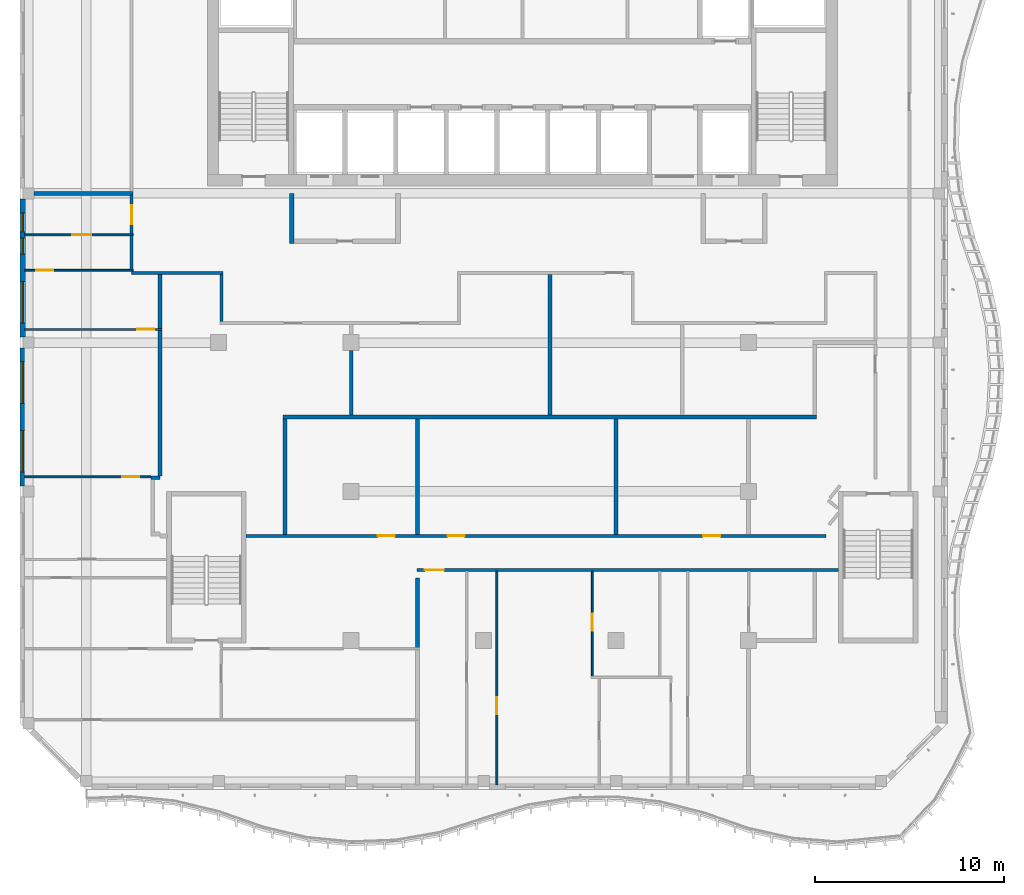
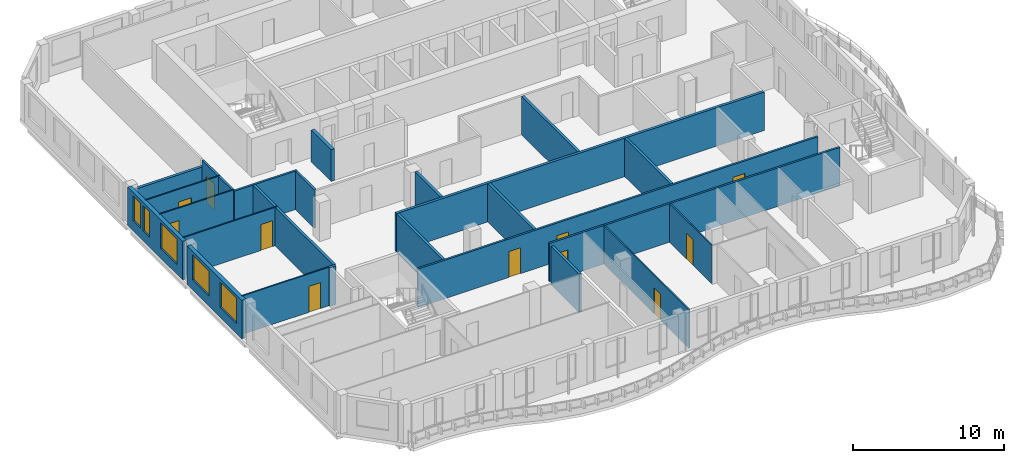
# One storey, part 3 of 18: 26 walls, 11 doors, 5 windows, 16 openings.
"""IFC4 building model written with IfcOpenShell, lengths in metres."""

from ifc_helpers import new_model, si_unit, direction, frame, frame_2d, origin, place, context, subcontext, project, spatial, rectangle, extrude, source, transform, mapped, material, layer, layer_set, type_object, element, fill, save


model = new_model("IFC4")

# Units and contexts
model_context = context("Model", 3, precision=1e-05, world=origin(), true_north=direction((0.0, 1.0)))
body_context = subcontext(model_context, "Body", "Model", "MODEL_VIEW")
ifc_project = project(units=[si_unit("LENGTHUNIT", "METRE"), si_unit("AREAUNIT", "SQUARE_METRE"), si_unit("VOLUMEUNIT", "CUBIC_METRE"), si_unit("PLANEANGLEUNIT", "RADIAN"), si_unit("MASSUNIT", "GRAM", prefix="KILO")], contexts=[model_context])

# Site, building, storey
site_placement = place(None, origin())
site = spatial("IfcSite", under=ifc_project, at=site_placement, CompositionType="ELEMENT")
building_placement = place(site_placement, origin())
building = spatial("IfcBuilding", under=site, at=building_placement, Name="Kilnfold Tower and Market Hall", CompositionType="ELEMENT")
storey_placement = place(building_placement, frame((0.0, 0.0, 312.0)))
storey = spatial("IfcBuildingStorey", under=building, at=storey_placement, Name="L78", CompositionType="ELEMENT", Elevation=312.0)

# Walls
ifc_material_1 = material(Name="Gypsum board on steel studs", Category="steel")
ifc_layer_1 = layer(ifc_material_1, 0.14990234375)
ifc_layer_set_1 = layer_set([ifc_layer_1], Name="Gypsum board on steel studs")
wall_type_1 = type_object("IfcWallType", Name="WALL CORRIDOR 150", PredefinedType="PARTITIONING", material=ifc_layer_set_1)
wall_1_placement = place(storey_placement, frame((-19.60009765625, 3.800048828125, 0.0), z_axis=(0.0, 0.0, 1.0), x_axis=(1.0, 0.0, 0.0)))
element("IfcWall", 1, at=wall_1_placement, inside=storey, type_object=wall_type_1, Name="Partition LY46.1", PredefinedType="PARTITIONING", context=body_context, shape_type="SweptSolid", body=[
    extrude(rectangle(XDim=4.815185546875, YDim=0.14990234375, at=frame_2d((2.40771484375, 0.0))), origin(), (0.0, 0.0, 1.0), 3.1201171875),
])
wall_2_placement = place(storey_placement, frame((-19.60009765625, 3.97802734375, 0.0), z_axis=(0.0, 0.0, 1.0), x_axis=(0.0, 1.0, 0.0)))
element("IfcWall", 2, at=wall_2_placement, inside=storey, type_object=wall_type_1, Name="Partition LY46.2", PredefinedType="PARTITIONING", context=body_context, shape_type="SweptSolid", body=[
    extrude(rectangle(XDim=1.7939453125, YDim=0.14990234375, at=frame_2d((0.89697265625, 0.0))), origin(), (0.0, 0.0, 1.0), 3.1201171875),
])

# Wall, opening, door
wall_3_placement = place(storey_placement, frame((-19.60009765625, 5.85205078125, 0.0), z_axis=(0.0, 0.0, 1.0), x_axis=(0.0, 1.0, 0.0)))
wall_3 = element("IfcWall", 3, at=wall_3_placement, inside=storey, type_object=wall_type_1, Name="Partition LY46.3", PredefinedType="PARTITIONING", context=body_context, shape_type="SweptSolid", body=[
    extrude(rectangle(XDim=2.057861328125, YDim=0.14990234375, at=frame_2d((1.02880859375, 0.0))), origin(), (0.0, 0.0, 1.0), 3.1201171875),
])
opening_1_placement = place(wall_3_placement, frame((0.529052734375, 0.0, 0.0)))
opening_1 = element("IfcOpeningElement", 4, at=opening_1_placement, cuts=wall_3, Name="Opening D1", PredefinedType="OPENING", context=body_context, shape_type="SweptSolid", body=[
    extrude(rectangle(XDim=1.0, YDim=2.10009765625, at=frame_2d((0.5, 1.050048828125))), frame((0.0, 0.0849609375, 0.0), z_axis=(0.0, -1.0, 0.0), x_axis=(1.0, 0.0, 0.0)), (0.0, 0.0, 1.0), 0.169921875),
])
ifc_material_2 = material(Name="Timber veneer door leaf in steel frame", Category="steel")
door_type_1 = type_object("IfcDoorType", Name="DOOR ENTRY 1000 X2100", OperationType="NOTDEFINED", PredefinedType="DOOR", material=ifc_material_2)
door_1_placement = place(opening_1_placement, origin())
door_1 = element("IfcDoor", 5, at=door_1_placement, inside=storey, type_object=door_type_1, Name="Door D1", OperationType="SINGLE_SWING_RIGHT", OverallHeight=2.10009765625, OverallWidth=1.0, PredefinedType="DOOR", context=body_context, shape_type="SweptSolid", body=[
    extrude(rectangle(XDim=1.0, YDim=2.10009765625, at=frame_2d((0.5, 1.050048828125))), frame((0.0, 0.02490234375, 0.0), z_axis=(0.0, -1.0, 0.0), x_axis=(1.0, 0.0, 0.0)), (0.0, 0.0, 1.0), 0.050048828125),
])
fill(opening_1, door_1)

wall_4_placement = place(storey_placement, frame((-4.510009765625, -11.89990234375, 0.0), z_axis=(0.0, 0.0, 1.0), x_axis=(1.0, 0.0, 0.0)))
wall_4 = element("IfcWall", 6, at=wall_4_placement, inside=storey, type_object=wall_type_1, Name="Partition LY46.4", PredefinedType="PARTITIONING", context=body_context, shape_type="SweptSolid", body=[
    extrude(rectangle(XDim=22.260009765625, YDim=0.14990234375, at=frame_2d((11.1298828125, 0.0))), origin(), (0.0, 0.0, 1.0), 3.1201171875),
])
opening_2_placement = place(wall_4_placement, frame((0.403076171875, 0.0, 0.0)))
opening_2 = element("IfcOpeningElement", 7, at=opening_2_placement, cuts=wall_4, Name="Opening D1", PredefinedType="OPENING", context=body_context, shape_type="SweptSolid", body=[
    extrude(rectangle(XDim=1.0, YDim=2.10009765625, at=frame_2d((0.5, 1.050048828125))), frame((0.0, 0.0849609375, 0.0), z_axis=(0.0, -1.0, 0.0), x_axis=(1.0, 0.0, 0.0)), (0.0, 0.0, 1.0), 0.169921875),
])
door_2_placement = place(opening_2_placement, origin())
door_2 = element("IfcDoor", 8, at=door_2_placement, inside=storey, type_object=door_type_1, Name="Door D1", OperationType="SINGLE_SWING_LEFT", OverallHeight=2.10009765625, OverallWidth=1.0, PredefinedType="DOOR", context=body_context, shape_type="SweptSolid", body=[
    extrude(rectangle(XDim=1.0, YDim=2.10009765625, at=frame_2d((0.5, 1.050048828125))), frame((0.0, 0.02490234375, 0.0), z_axis=(0.0, -1.0, 0.0), x_axis=(1.0, 0.0, 0.0)), (0.0, 0.0, 1.0), 0.050048828125),
])
fill(opening_2, door_2)

# Wall
wall_5_placement = place(storey_placement, frame((-14.860107421875, 3.72509765625, 0.0), z_axis=(0.0, 0.0, 1.0), x_axis=(0.0, -1.0, 0.0)))
element("IfcWall", 9, at=wall_5_placement, inside=storey, type_object=wall_type_1, Name="Partition LY46.11", PredefinedType="PARTITIONING", context=body_context, shape_type="SweptSolid", body=[
    extrude(rectangle(XDim=2.5, YDim=0.14990234375, at=frame_2d((1.25, 0.0))), origin(), (0.0, 0.0, 1.0), 3.1201171875),
])

# Wall, openings, doors
wall_6_placement = place(storey_placement, frame((-13.550048828125, -10.10009765625, 0.0), z_axis=(0.0, 0.0, 1.0), x_axis=(1.0, 0.0, 0.0)))
wall_6 = element("IfcWall", 10, at=wall_6_placement, inside=storey, type_object=wall_type_1, Name="Partition LY46.12", PredefinedType="PARTITIONING", context=body_context, shape_type="SweptSolid", body=[
    extrude(rectangle(XDim=30.650146484375, YDim=0.14990234375, at=frame_2d((15.3251953125, 0.0))), origin(), (0.0, 0.0, 1.0), 3.1201171875),
])
opening_3_placement = place(wall_6_placement, frame((6.9560546875, 0.0, 0.0)))
opening_3 = element("IfcOpeningElement", 11, at=opening_3_placement, cuts=wall_6, Name="Opening D2", PredefinedType="OPENING", context=body_context, shape_type="SweptSolid", body=[
    extrude(rectangle(XDim=0.89990234375, YDim=2.10009765625, at=frame_2d((0.449951171875, 1.050048828125))), frame((0.0, 0.0849609375, 0.0), z_axis=(0.0, -1.0, 0.0), x_axis=(1.0, 0.0, 0.0)), (0.0, 0.0, 1.0), 0.169921875),
])
opening_4_placement = place(wall_6_placement, frame((10.64306640625, 0.0, 0.0)))
opening_4 = element("IfcOpeningElement", 12, at=opening_4_placement, cuts=wall_6, Name="Opening D2", PredefinedType="OPENING", context=body_context, shape_type="SweptSolid", body=[
    extrude(rectangle(XDim=0.89990234375, YDim=2.10009765625, at=frame_2d((0.449951171875, 1.050048828125))), frame((0.0, 0.0849609375, 0.0), z_axis=(0.0, -1.0, 0.0), x_axis=(1.0, 0.0, 0.0)), (0.0, 0.0, 1.0), 0.169921875),
])
opening_5_placement = place(wall_6_placement, frame((24.155029296875, 0.0, 0.0)))
opening_5 = element("IfcOpeningElement", 13, at=opening_5_placement, cuts=wall_6, Name="Opening D2", PredefinedType="OPENING", context=body_context, shape_type="SweptSolid", body=[
    extrude(rectangle(XDim=0.89990234375, YDim=2.10009765625, at=frame_2d((0.449951171875, 1.050048828125))), frame((0.0, 0.0849609375, 0.0), z_axis=(0.0, -1.0, 0.0), x_axis=(1.0, 0.0, 0.0)), (0.0, 0.0, 1.0), 0.169921875),
])
ifc_material_3 = material(Name="Timber veneer door leaf in steel frame", Category="steel")
door_type_2 = type_object("IfcDoorType", Name="DOOR ROOM 900 X2100", OperationType="NOTDEFINED", PredefinedType="DOOR", material=ifc_material_3)
door_3_placement = place(opening_3_placement, origin())
door_3 = element("IfcDoor", 14, at=door_3_placement, inside=storey, type_object=door_type_2, Name="Door D2", OperationType="SINGLE_SWING_LEFT", OverallHeight=2.10009765625, OverallWidth=0.89990234375, PredefinedType="DOOR", context=body_context, shape_type="SweptSolid", body=[
    extrude(rectangle(XDim=0.89990234375, YDim=2.10009765625, at=frame_2d((0.449951171875, 1.050048828125))), frame((0.0, 0.02490234375, 0.0), z_axis=(0.0, -1.0, 0.0), x_axis=(1.0, 0.0, 0.0)), (0.0, 0.0, 1.0), 0.050048828125),
])
fill(opening_3, door_3)
door_4_placement = place(opening_4_placement, origin())
door_4 = element("IfcDoor", 15, at=door_4_placement, inside=storey, type_object=door_type_2, Name="Door D2", OperationType="SINGLE_SWING_LEFT", OverallHeight=2.10009765625, OverallWidth=0.89990234375, PredefinedType="DOOR", context=body_context, shape_type="SweptSolid", body=[
    extrude(rectangle(XDim=0.89990234375, YDim=2.10009765625, at=frame_2d((0.449951171875, 1.050048828125))), frame((0.0, 0.02490234375, 0.0), z_axis=(0.0, -1.0, 0.0), x_axis=(1.0, 0.0, 0.0)), (0.0, 0.0, 1.0), 0.050048828125),
])
fill(opening_4, door_4)
door_5_placement = place(opening_5_placement, origin())
door_5 = element("IfcDoor", 16, at=door_5_placement, inside=storey, type_object=door_type_2, Name="Door D2", OperationType="SINGLE_SWING_RIGHT", OverallHeight=2.10009765625, OverallWidth=0.89990234375, PredefinedType="DOOR", context=body_context, shape_type="SweptSolid", body=[
    extrude(rectangle(XDim=0.89990234375, YDim=2.10009765625, at=frame_2d((0.449951171875, 1.050048828125))), frame((0.0, 0.02490234375, 0.0), z_axis=(0.0, -1.0, 0.0), x_axis=(1.0, 0.0, 0.0)), (0.0, 0.0, 1.0), 0.050048828125),
])
fill(opening_5, door_5)

# Wall, opening, door
ifc_material_4 = material(Name="Gypsum board on steel studs", Category="steel")
ifc_layer_2 = layer(ifc_material_4, 0.10009765625)
ifc_layer_set_2 = layer_set([ifc_layer_2], Name="Gypsum board on steel studs")
wall_type_2 = type_object("IfcWallType", Name="WALL PARTITION 100", PredefinedType="PARTITIONING", material=ifc_layer_set_2)
wall_7_placement = place(storey_placement, frame((-18.58203125, -6.98095703125, 0.0), z_axis=(0.0, 0.0, 1.0), x_axis=(-1.0, 0.0, 0.0)))
wall_7 = element("IfcWall", 17, at=wall_7_placement, inside=storey, type_object=wall_type_2, Name="Partition LY46.35", PredefinedType="PARTITIONING", context=body_context, shape_type="SweptSolid", body=[
    extrude(rectangle(XDim=6.66796875, YDim=0.10009765625, at=frame_2d((3.333984375, 0.0))), origin(), (0.0, 0.0, 1.0), 3.1201171875),
])
opening_6_placement = place(wall_7_placement, frame((0.6259765625, 0.0, 0.0)))
opening_6 = element("IfcOpeningElement", 18, at=opening_6_placement, cuts=wall_7, Name="Opening D2", PredefinedType="OPENING", context=body_context, shape_type="SweptSolid", body=[
    extrude(rectangle(XDim=0.89990234375, YDim=2.10009765625, at=frame_2d((0.449951171875, 1.050048828125))), frame((0.0, 0.06005859375, 0.0), z_axis=(0.0, -1.0, 0.0), x_axis=(1.0, 0.0, 0.0)), (0.0, 0.0, 1.0), 0.1201171875),
])
door_6_placement = place(opening_6_placement, origin())
door_6 = element("IfcDoor", 19, at=door_6_placement, inside=storey, type_object=door_type_2, Name="Door D2", OperationType="SINGLE_SWING_RIGHT", OverallHeight=2.10009765625, OverallWidth=0.89990234375, PredefinedType="DOOR", context=body_context, shape_type="SweptSolid", body=[
    extrude(rectangle(XDim=0.89990234375, YDim=2.10009765625, at=frame_2d((0.449951171875, 1.050048828125))), frame((0.0, 0.02490234375, 0.0), z_axis=(0.0, -1.0, 0.0), x_axis=(1.0, 0.0, 0.0)), (0.0, 0.0, 1.0), 0.050048828125),
])
fill(opening_6, door_6)

wall_8_placement = place(storey_placement, frame((-18.0, 0.81201171875, 0.0), z_axis=(0.0, 0.0, 1.0), x_axis=(-1.0, 0.0, 0.0)))
wall_8 = element("IfcWall", 20, at=wall_8_placement, inside=storey, type_object=wall_type_2, Name="Partition LY46.40", PredefinedType="PARTITIONING", context=body_context, shape_type="SweptSolid", body=[
    extrude(rectangle(XDim=7.25, YDim=0.10009765625, at=frame_2d((3.625, 0.0))), origin(), (0.0, 0.0, 1.0), 3.1201171875),
])
opening_7_placement = place(wall_8_placement, frame((0.402099609375, 0.0, 0.0)))
opening_7 = element("IfcOpeningElement", 21, at=opening_7_placement, cuts=wall_8, Name="Opening D2", PredefinedType="OPENING", context=body_context, shape_type="SweptSolid", body=[
    extrude(rectangle(XDim=0.89990234375, YDim=2.10009765625, at=frame_2d((0.449951171875, 1.050048828125))), frame((0.0, 0.06005859375, 0.0), z_axis=(0.0, -1.0, 0.0), x_axis=(1.0, 0.0, 0.0)), (0.0, 0.0, 1.0), 0.1201171875),
])
door_7_placement = place(opening_7_placement, origin())
door_7 = element("IfcDoor", 22, at=door_7_placement, inside=storey, type_object=door_type_2, Name="Door D2", OperationType="SINGLE_SWING_RIGHT", OverallHeight=2.10009765625, OverallWidth=0.89990234375, PredefinedType="DOOR", context=body_context, shape_type="SweptSolid", body=[
    extrude(rectangle(XDim=0.89990234375, YDim=2.10009765625, at=frame_2d((0.449951171875, 1.050048828125))), frame((0.0, 0.02490234375, 0.0), z_axis=(0.0, -1.0, 0.0), x_axis=(1.0, 0.0, 0.0)), (0.0, 0.0, 1.0), 0.050048828125),
])
fill(opening_7, door_7)

wall_9_placement = place(storey_placement, frame((-19.527099609375, 3.93798828125, 0.0), z_axis=(0.0, 0.0, 1.0), x_axis=(-1.0, 0.0, 0.0)))
wall_9 = element("IfcWall", 23, at=wall_9_placement, inside=storey, type_object=wall_type_2, Name="Partition LY46.42", PredefinedType="PARTITIONING", context=body_context, shape_type="SweptSolid", body=[
    extrude(rectangle(XDim=5.722900390625, YDim=0.10009765625, at=frame_2d((2.861328125, 0.0))), origin(), (0.0, 0.0, 1.0), 3.1201171875),
])
opening_8_placement = place(wall_9_placement, frame((4.220947265625, 0.0, 0.0)))
opening_8 = element("IfcOpeningElement", 24, at=opening_8_placement, cuts=wall_9, Name="Opening D2", PredefinedType="OPENING", context=body_context, shape_type="SweptSolid", body=[
    extrude(rectangle(XDim=0.89990234375, YDim=2.10009765625, at=frame_2d((0.449951171875, 1.050048828125))), frame((0.0, 0.06005859375, 0.0), z_axis=(0.0, -1.0, 0.0), x_axis=(1.0, 0.0, 0.0)), (0.0, 0.0, 1.0), 0.1201171875),
])
door_8_placement = place(opening_8_placement, origin())
door_8 = element("IfcDoor", 25, at=door_8_placement, inside=storey, type_object=door_type_2, Name="Door D2", OperationType="SINGLE_SWING_RIGHT", OverallHeight=2.10009765625, OverallWidth=0.89990234375, PredefinedType="DOOR", context=body_context, shape_type="SweptSolid", body=[
    extrude(rectangle(XDim=0.89990234375, YDim=2.10009765625, at=frame_2d((0.449951171875, 1.050048828125))), frame((0.0, 0.02490234375, 0.0), z_axis=(0.0, -1.0, 0.0), x_axis=(1.0, 0.0, 0.0)), (0.0, 0.0, 1.0), 0.050048828125),
])
fill(opening_8, door_8)

wall_10_placement = place(storey_placement, frame((-19.527099609375, 5.81201171875, 0.0), z_axis=(0.0, 0.0, 1.0), x_axis=(-1.0, 0.0, 0.0)))
wall_10 = element("IfcWall", 26, at=wall_10_placement, inside=storey, type_object=wall_type_2, Name="Partition LY46.44", PredefinedType="PARTITIONING", context=body_context, shape_type="SweptSolid", body=[
    extrude(rectangle(XDim=5.722900390625, YDim=0.10009765625, at=frame_2d((2.861328125, 0.0))), origin(), (0.0, 0.0, 1.0), 3.1201171875),
])
opening_9_placement = place(wall_10_placement, frame((2.2109375, 0.0, 0.0)))
opening_9 = element("IfcOpeningElement", 27, at=opening_9_placement, cuts=wall_10, Name="Opening D1", PredefinedType="OPENING", context=body_context, shape_type="SweptSolid", body=[
    extrude(rectangle(XDim=1.0, YDim=2.10009765625, at=frame_2d((0.5, 1.050048828125))), frame((0.0, 0.06005859375, 0.0), z_axis=(0.0, -1.0, 0.0), x_axis=(1.0, 0.0, 0.0)), (0.0, 0.0, 1.0), 0.1201171875),
])
door_9_placement = place(opening_9_placement, origin())
door_9 = element("IfcDoor", 28, at=door_9_placement, inside=storey, type_object=door_type_1, Name="Door D1", OperationType="SINGLE_SWING_RIGHT", OverallHeight=2.10009765625, OverallWidth=1.0, PredefinedType="DOOR", context=body_context, shape_type="SweptSolid", body=[
    extrude(rectangle(XDim=1.0, YDim=2.10009765625, at=frame_2d((0.5, 1.050048828125))), frame((0.0, 0.02490234375, 0.0), z_axis=(0.0, -1.0, 0.0), x_axis=(1.0, 0.0, 0.0)), (0.0, 0.0, 1.0), 0.050048828125),
])
fill(opening_9, door_9)

wall_11_placement = place(storey_placement, frame((-0.300048828125, -23.25, 0.0), z_axis=(0.0, 0.0, 1.0), x_axis=(0.0, 1.0, 0.0)))
wall_11 = element("IfcWall", 29, at=wall_11_placement, inside=storey, type_object=wall_type_2, Name="Partition LY46.47", PredefinedType="PARTITIONING", context=body_context, shape_type="SweptSolid", body=[
    extrude(rectangle(XDim=11.27294921875, YDim=0.10009765625, at=frame_2d((5.636474609375, 0.0))), origin(), (0.0, 0.0, 1.0), 3.1201171875),
])
opening_10_placement = place(wall_11_placement, frame((3.72607421875, 0.0, 0.0)))
opening_10 = element("IfcOpeningElement", 30, at=opening_10_placement, cuts=wall_11, Name="Opening D2", PredefinedType="OPENING", context=body_context, shape_type="SweptSolid", body=[
    extrude(rectangle(XDim=0.89990234375, YDim=2.10009765625, at=frame_2d((0.449951171875, 1.050048828125))), frame((0.0, 0.06005859375, 0.0), z_axis=(0.0, -1.0, 0.0), x_axis=(1.0, 0.0, 0.0)), (0.0, 0.0, 1.0), 0.1201171875),
])
door_10_placement = place(opening_10_placement, origin())
door_10 = element("IfcDoor", 31, at=door_10_placement, inside=storey, type_object=door_type_2, Name="Door D2", OperationType="SINGLE_SWING_RIGHT", OverallHeight=2.10009765625, OverallWidth=0.89990234375, PredefinedType="DOOR", context=body_context, shape_type="SweptSolid", body=[
    extrude(rectangle(XDim=0.89990234375, YDim=2.10009765625, at=frame_2d((0.449951171875, 1.050048828125))), frame((0.0, 0.02490234375, 0.0), z_axis=(0.0, -1.0, 0.0), x_axis=(1.0, 0.0, 0.0)), (0.0, 0.0, 1.0), 0.050048828125),
])
fill(opening_10, door_10)

wall_12_placement = place(storey_placement, frame((4.739990234375, -17.52587890625, 0.0), z_axis=(0.0, 0.0, 1.0), x_axis=(0.0, 1.0, 0.0)))
wall_12 = element("IfcWall", 32, at=wall_12_placement, inside=storey, type_object=wall_type_2, Name="Partition LY46.49", PredefinedType="PARTITIONING", context=body_context, shape_type="SweptSolid", body=[
    extrude(rectangle(XDim=5.548828125, YDim=0.10009765625, at=frame_2d((2.7744140625, 0.0))), origin(), (0.0, 0.0, 1.0), 3.1201171875),
])
opening_11_placement = place(wall_12_placement, frame((2.426025390625, 0.0, 0.0)))
opening_11 = element("IfcOpeningElement", 33, at=opening_11_placement, cuts=wall_12, Name="Opening D2", PredefinedType="OPENING", context=body_context, shape_type="SweptSolid", body=[
    extrude(rectangle(XDim=0.89990234375, YDim=2.10009765625, at=frame_2d((0.449951171875, 1.050048828125))), frame((0.0, 0.06005859375, 0.0), z_axis=(0.0, -1.0, 0.0), x_axis=(1.0, 0.0, 0.0)), (0.0, 0.0, 1.0), 0.1201171875),
])
door_11_placement = place(opening_11_placement, origin())
door_11 = element("IfcDoor", 34, at=door_11_placement, inside=storey, type_object=door_type_2, Name="Door D2", OperationType="SINGLE_SWING_LEFT", OverallHeight=2.10009765625, OverallWidth=0.89990234375, PredefinedType="DOOR", context=body_context, shape_type="SweptSolid", body=[
    extrude(rectangle(XDim=0.89990234375, YDim=2.10009765625, at=frame_2d((0.449951171875, 1.050048828125))), frame((0.0, 0.02490234375, 0.0), z_axis=(0.0, -1.0, 0.0), x_axis=(1.0, 0.0, 0.0)), (0.0, 0.0, 1.0), 0.050048828125),
])
fill(opening_11, door_11)

# Walls
ifc_material_5 = material(Name="Gypsum board on steel studs", Category="steel")
ifc_layer_3 = layer(ifc_material_5, 0.199951171875)
ifc_layer_set_3 = layer_set([ifc_layer_3], Name="Gypsum board on steel studs")
wall_type_3 = type_object("IfcWallType", Name="WALL PARTY 200", PredefinedType="PARTITIONING", material=ifc_layer_set_3)
wall_13_placement = place(storey_placement, frame((-4.5, -16.011962890625, 0.0), z_axis=(0.0, 0.0, 1.0), x_axis=(0.0, 1.0, 0.0)))
element("IfcWall", 35, at=wall_13_placement, inside=storey, type_object=wall_type_3, Name="Partition LY46.33", PredefinedType="PARTITIONING", context=body_context, shape_type="SweptSolid", body=[
    extrude(rectangle(XDim=3.699951171875, YDim=0.199951171875, at=frame_2d((1.85009765625, 0.0))), origin(), (0.0, 0.0, 1.0), 3.1201171875),
])
wall_14_placement = place(storey_placement, frame((-18.58203125, -7.029052734375, 0.0), z_axis=(0.0, 0.0, 1.0), x_axis=(1.0, 0.0, 0.0)))
element("IfcWall", 36, at=wall_14_placement, inside=storey, type_object=wall_type_3, Name="Partition LY46.36", PredefinedType="PARTITIONING", context=body_context, shape_type="SweptSolid", body=[
    extrude(rectangle(XDim=0.48193359375, YDim=0.199951171875, at=frame_2d((0.240966796875, 0.0))), origin(), (0.0, 0.0, 1.0), 3.1201171875),
])
wall_15_placement = place(storey_placement, frame((-18.10009765625, -6.930908203125, 0.0), z_axis=(0.0, 0.0, 1.0), x_axis=(0.0, 1.0, 0.0)))
element("IfcWall", 37, at=wall_15_placement, inside=storey, type_object=wall_type_3, Name="Partition LY46.41", PredefinedType="PARTITIONING", context=body_context, shape_type="SweptSolid", body=[
    extrude(rectangle(XDim=7.69287109375, YDim=0.199951171875, at=frame_2d((3.846435546875, 0.0))), origin(), (0.0, 0.0, 1.0), 3.1201171875),
])
wall_16_placement = place(storey_placement, frame((-18.10009765625, 0.862060546875, 0.0), z_axis=(0.0, 0.0, 1.0), x_axis=(0.0, 1.0, 0.0)))
element("IfcWall", 38, at=wall_16_placement, inside=storey, type_object=wall_type_3, Name="Partition LY46.43", PredefinedType="PARTITIONING", context=body_context, shape_type="SweptSolid", body=[
    extrude(rectangle(XDim=2.86083984375, YDim=0.199951171875, at=frame_2d((1.430419921875, 0.0))), origin(), (0.0, 0.0, 1.0), 3.1201171875),
])
wall_17_placement = place(storey_placement, frame((-19.527099609375, 8.0, 0.0), z_axis=(0.0, 0.0, 1.0), x_axis=(-1.0, 0.0, 0.0)))
element("IfcWall", 39, at=wall_17_placement, inside=storey, type_object=wall_type_3, Name="Partition LY46.45", PredefinedType="PARTITIONING", context=body_context, shape_type="SweptSolid", body=[
    extrude(rectangle(XDim=5.222900390625, YDim=0.199951171875, at=frame_2d((2.611328125, 0.0))), origin(), (0.0, 0.0, 1.0), 2.570068359375),
])
wall_18_placement = place(storey_placement, frame((-8.0, -3.7119140625, 0.0), z_axis=(0.0, 0.0, 1.0), x_axis=(0.0, 1.0, 0.0)))
element("IfcWall", 40, at=wall_18_placement, inside=storey, type_object=wall_type_3, Name="Partition LY46.61", PredefinedType="PARTITIONING", context=body_context, shape_type="SweptSolid", body=[
    extrude(rectangle(XDim=3.411865234375, YDim=0.199951171875, at=frame_2d((1.7060546875, 0.0))), origin(), (0.0, 0.0, 1.0), 3.1201171875),
])
wall_19_placement = place(storey_placement, frame((-11.60009765625, -3.81201171875, 0.0), z_axis=(0.0, 0.0, 1.0), x_axis=(1.0, 0.0, 0.0)))
element("IfcWall", 41, at=wall_19_placement, inside=storey, type_object=wall_type_3, Name="Partition LY46.62", PredefinedType="PARTITIONING", context=body_context, shape_type="SweptSolid", body=[
    extrude(rectangle(XDim=28.2001953125, YDim=0.199951171875, at=frame_2d((14.10009765625, 0.0))), origin(), (0.0, 0.0, 1.0), 3.1201171875),
])
wall_20_placement = place(storey_placement, frame((-11.5, -10.02294921875, 0.0), z_axis=(0.0, 0.0, 1.0), x_axis=(0.0, 1.0, 0.0)))
element("IfcWall", 42, at=wall_20_placement, inside=storey, type_object=wall_type_3, Name="Partition LY46.63", PredefinedType="PARTITIONING", context=body_context, shape_type="SweptSolid", body=[
    extrude(rectangle(XDim=6.11083984375, YDim=0.199951171875, at=frame_2d((3.055419921875, 0.0))), origin(), (0.0, 0.0, 1.0), 3.1201171875),
])
wall_21_placement = place(storey_placement, frame((2.5, -3.7119140625, 0.0), z_axis=(0.0, 0.0, 1.0), x_axis=(0.0, 1.0, 0.0)))
element("IfcWall", 43, at=wall_21_placement, inside=storey, type_object=wall_type_3, Name="Partition LY46.64", PredefinedType="PARTITIONING", context=body_context, shape_type="SweptSolid", body=[
    extrude(rectangle(XDim=7.434814453125, YDim=0.199951171875, at=frame_2d((3.71728515625, 0.0))), origin(), (0.0, 0.0, 1.0), 3.1201171875),
])
for number, where, z_axis, x_axis, name in (
    (44, (-4.5, -10.02294921875, 0.0), (0.0, 0.0, 1.0), (0.0, 1.0, 0.0), "Partition LY46.65"),
    (45, (6.0, -10.02294921875, 0.0), (0.0, 0.0, 1.0), (0.0, 1.0, 0.0), "Partition LY46.66"),
):
    element("IfcWall", number, at=place(storey_placement, frame(where, z_axis=z_axis, x_axis=x_axis)), inside=storey, type_object=wall_type_3, Name=name, PredefinedType="PARTITIONING", context=body_context, shape_type="SweptSolid", body=[
        extrude(rectangle(XDim=6.11083984375, YDim=0.199951171875, at=frame_2d((3.055419921875, 0.0))), origin(), (0.0, 0.0, 1.0), 3.1201171875),
    ])

# Wall, openings, windows
ifc_material_6 = material(Name="Precast concrete C50/60", Category="concrete")
ifc_layer_4 = layer(ifc_material_6, 0.300048828125)
ifc_layer_set_4 = layer_set([ifc_layer_4], Name="Precast concrete C50/60")
wall_type_4 = type_object("IfcWallType", Name="PRECAST WALL 300", PredefinedType="SOLIDWALL", material=ifc_layer_set_4)
shared_shape_1 = source(origin(), body_context, "Body", "SweptSolid", [
    extrude(rectangle(XDim=7.27490234375, YDim=0.300048828125, at=frame_2d((3.637451171875, 0.0))), origin(), (0.0, 0.0, 1.0), 3.1201171875),
])
wall_22_placement = place(storey_placement, frame((-25.35009765625, 7.699951171875, 0.0), z_axis=(0.0, 0.0, 1.0), x_axis=(0.0, -1.0, 0.0)))
wall_22 = element("IfcWall", 46, at=wall_22_placement, inside=storey, type_object=wall_type_4, Name="External wall L78 W", PredefinedType="SOLIDWALL", context=body_context, shape_type="MappedRepresentation", body=[
    mapped(shared_shape_1, transform((0.0, 0.0, 0.0))),
])
opening_12_placement = place(wall_22_placement, frame((0.728271484375, 0.0, 0.800048828125)))
opening_12 = element("IfcOpeningElement", 47, at=opening_12_placement, cuts=wall_22, Name="Opening W3-A", PredefinedType="OPENING", context=body_context, shape_type="SweptSolid", body=[
    extrude(rectangle(XDim=1.0, YDim=2.050048828125, at=frame_2d((0.5, 1.02490234375))), frame((0.0, 0.16015625, 0.0), z_axis=(0.0, -1.0, 0.0), x_axis=(1.0, 0.0, 0.0)), (0.0, 0.0, 1.0), 0.320068359375),
])
opening_13_placement = place(wall_22_placement, frame((4.356201171875, 0.0, 0.800048828125)))
opening_13 = element("IfcOpeningElement", 48, at=opening_13_placement, cuts=wall_22, Name="Opening W3", PredefinedType="OPENING", context=body_context, shape_type="SweptSolid", body=[
    extrude(rectangle(XDim=2.199951171875, YDim=2.050048828125, at=frame_2d((1.10009765625, 1.02490234375))), frame((0.0, 0.16015625, 0.0), z_axis=(0.0, -1.0, 0.0), x_axis=(1.0, 0.0, 0.0)), (0.0, 0.0, 1.0), 0.320068359375),
])
opening_14_placement = place(wall_22_placement, frame((2.053466796875, 0.0, 0.800048828125)))
opening_14 = element("IfcOpeningElement", 49, at=opening_14_placement, cuts=wall_22, Name="Opening W3-B", PredefinedType="OPENING", context=body_context, shape_type="SweptSolid", body=[
    extrude(rectangle(XDim=0.85009765625, YDim=2.050048828125, at=frame_2d((0.425048828125, 1.02490234375))), frame((0.0, 0.16015625, 0.0), z_axis=(0.0, -1.0, 0.0), x_axis=(1.0, 0.0, 0.0)), (0.0, 0.0, 1.0), 0.320068359375),
])
ifc_material_7 = material(Name="Aluminium frame and double glazing", Category="aluminium")
window_type_1 = type_object("IfcWindowType", Name="WINDOW W3 2200X2050", PartitioningType="SINGLE_PANEL", PredefinedType="WINDOW", material=ifc_material_7)
window_1_placement = place(opening_13_placement, origin())
window_1 = element("IfcWindow", 50, at=window_1_placement, inside=storey, type_object=window_type_1, Name="Window W3 L78 W-2", OverallHeight=2.050048828125, OverallWidth=2.199951171875, PartitioningType="SINGLE_PANEL", PredefinedType="WINDOW", context=body_context, shape_type="SweptSolid", body=[
    extrude(rectangle(XDim=2.199951171875, YDim=2.050048828125, at=frame_2d((1.10009765625, 1.02490234375))), frame((0.0, 0.030029296875, 0.0), z_axis=(0.0, -1.0, 0.0), x_axis=(1.0, 0.0, 0.0)), (0.0, 0.0, 1.0), 0.06005859375),
])
fill(opening_13, window_1)
ifc_material_8 = material(Name="Aluminium frame and double glazing", Category="aluminium")
window_type_2 = type_object("IfcWindowType", Name="WINDOW W3-A 1000X2050", PartitioningType="SINGLE_PANEL", PredefinedType="WINDOW", material=ifc_material_8)
window_2_placement = place(opening_12_placement, origin())
window_2 = element("IfcWindow", 51, at=window_2_placement, inside=storey, type_object=window_type_2, Name="Window W3-A L78 W-1", OverallHeight=2.050048828125, OverallWidth=1.0, PartitioningType="SINGLE_PANEL", PredefinedType="WINDOW", context=body_context, shape_type="SweptSolid", body=[
    extrude(rectangle(XDim=1.0, YDim=2.050048828125, at=frame_2d((0.5, 1.02490234375))), frame((0.0, 0.030029296875, 0.0), z_axis=(0.0, -1.0, 0.0), x_axis=(1.0, 0.0, 0.0)), (0.0, 0.0, 1.0), 0.06005859375),
])
fill(opening_12, window_2)
ifc_material_9 = material(Name="Aluminium frame and double glazing", Category="aluminium")
window_type_3 = type_object("IfcWindowType", Name="WINDOW W3-B 850X2050", PartitioningType="SINGLE_PANEL", PredefinedType="WINDOW", material=ifc_material_9)
window_3_placement = place(opening_14_placement, origin())
window_3 = element("IfcWindow", 52, at=window_3_placement, inside=storey, type_object=window_type_3, Name="Window W3-A L78 W-1", OverallHeight=2.050048828125, OverallWidth=0.85009765625, PartitioningType="SINGLE_PANEL", PredefinedType="WINDOW", context=body_context, shape_type="SweptSolid", body=[
    extrude(rectangle(XDim=0.85009765625, YDim=2.050048828125, at=frame_2d((0.425048828125, 1.02490234375))), frame((0.0, 0.030029296875, 0.0), z_axis=(0.0, -1.0, 0.0), x_axis=(1.0, 0.0, 0.0)), (0.0, 0.0, 1.0), 0.06005859375),
])
fill(opening_14, window_3)

wall_23_placement = place(storey_placement, frame((-25.35009765625, -0.175048828125, 0.0), z_axis=(0.0, 0.0, 1.0), x_axis=(0.0, -1.0, 0.0)))
wall_23 = element("IfcWall", 53, at=wall_23_placement, inside=storey, type_object=wall_type_4, Name="External wall L78 W", PredefinedType="SOLIDWALL", context=body_context, shape_type="MappedRepresentation", body=[
    mapped(shared_shape_1, transform((0.0, 0.0, 0.0))),
])
opening_15_placement = place(wall_23_placement, frame((0.71875, 0.0, 0.800048828125)))
opening_15 = element("IfcOpeningElement", 54, at=opening_15_placement, cuts=wall_23, Name="Opening W3", PredefinedType="OPENING", context=body_context, shape_type="SweptSolid", body=[
    extrude(rectangle(XDim=2.199951171875, YDim=2.050048828125, at=frame_2d((1.10009765625, 1.02490234375))), frame((0.0, 0.16015625, 0.0), z_axis=(0.0, -1.0, 0.0), x_axis=(1.0, 0.0, 0.0)), (0.0, 0.0, 1.0), 0.320068359375),
])
opening_16_placement = place(wall_23_placement, frame((4.356201171875, 0.0, 0.800048828125)))
opening_16 = element("IfcOpeningElement", 55, at=opening_16_placement, cuts=wall_23, Name="Opening W3", PredefinedType="OPENING", context=body_context, shape_type="SweptSolid", body=[
    extrude(rectangle(XDim=2.199951171875, YDim=2.050048828125, at=frame_2d((1.10009765625, 1.02490234375))), frame((0.0, 0.16015625, 0.0), z_axis=(0.0, -1.0, 0.0), x_axis=(1.0, 0.0, 0.0)), (0.0, 0.0, 1.0), 0.320068359375),
])
window_4_placement = place(opening_15_placement, origin())
window_4 = element("IfcWindow", 56, at=window_4_placement, inside=storey, type_object=window_type_1, Name="Window W3 L78 W-1", OverallHeight=2.050048828125, OverallWidth=2.199951171875, PartitioningType="SINGLE_PANEL", PredefinedType="WINDOW", context=body_context, shape_type="SweptSolid", body=[
    extrude(rectangle(XDim=2.199951171875, YDim=2.050048828125, at=frame_2d((1.10009765625, 1.02490234375))), frame((0.0, 0.030029296875, 0.0), z_axis=(0.0, -1.0, 0.0), x_axis=(1.0, 0.0, 0.0)), (0.0, 0.0, 1.0), 0.06005859375),
])
fill(opening_15, window_4)
window_5_placement = place(opening_16_placement, origin())
window_5 = element("IfcWindow", 57, at=window_5_placement, inside=storey, type_object=window_type_1, Name="Window W3 L78 W-2", OverallHeight=2.050048828125, OverallWidth=2.199951171875, PartitioningType="SINGLE_PANEL", PredefinedType="WINDOW", context=body_context, shape_type="SweptSolid", body=[
    extrude(rectangle(XDim=2.199951171875, YDim=2.050048828125, at=frame_2d((1.10009765625, 1.02490234375))), frame((0.0, 0.030029296875, 0.0), z_axis=(0.0, -1.0, 0.0), x_axis=(1.0, 0.0, 0.0)), (0.0, 0.0, 1.0), 0.06005859375),
])
fill(opening_16, window_5)

# Wall
ifc_material_10 = material(Name="Gypsum shaft wall system")
ifc_layer_5 = layer(ifc_material_10, 0.25)
ifc_layer_set_5 = layer_set([ifc_layer_5], Name="Gypsum shaft wall system")
wall_type_5 = type_object("IfcWallType", Name="LOBBY WALL 250", PredefinedType="PARTITIONING", material=ifc_layer_set_5)
shared_shape_2 = source(origin(), body_context, "Body", "SweptSolid", [
    extrude(rectangle(XDim=2.64990234375, YDim=0.25, at=frame_2d((1.324951171875, 0.0))), origin(), (0.0, 0.0, 1.0), 2.570068359375),
])
wall_24_placement = place(storey_placement, frame((-11.135009765625, 5.35009765625, 0.0), z_axis=(0.0, 0.0, 1.0), x_axis=(0.0, 1.0, 0.0)))
element("IfcWall", 58, at=wall_24_placement, inside=storey, type_object=wall_type_5, Name="Firefighting lobby wall", PredefinedType="PARTITIONING", context=body_context, shape_type="MappedRepresentation", body=[
    mapped(shared_shape_2, transform((0.0, 0.0, 0.0))),
])

save(model, "model.ifc")
